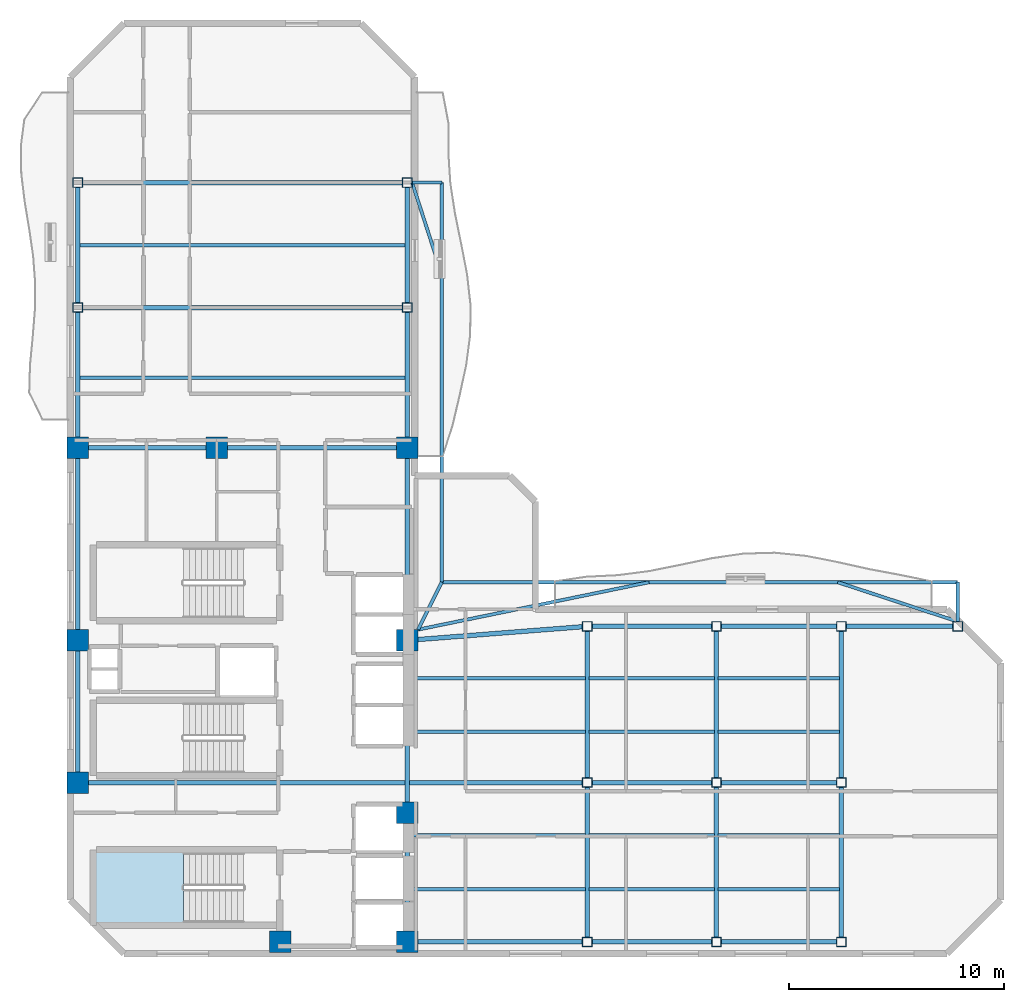
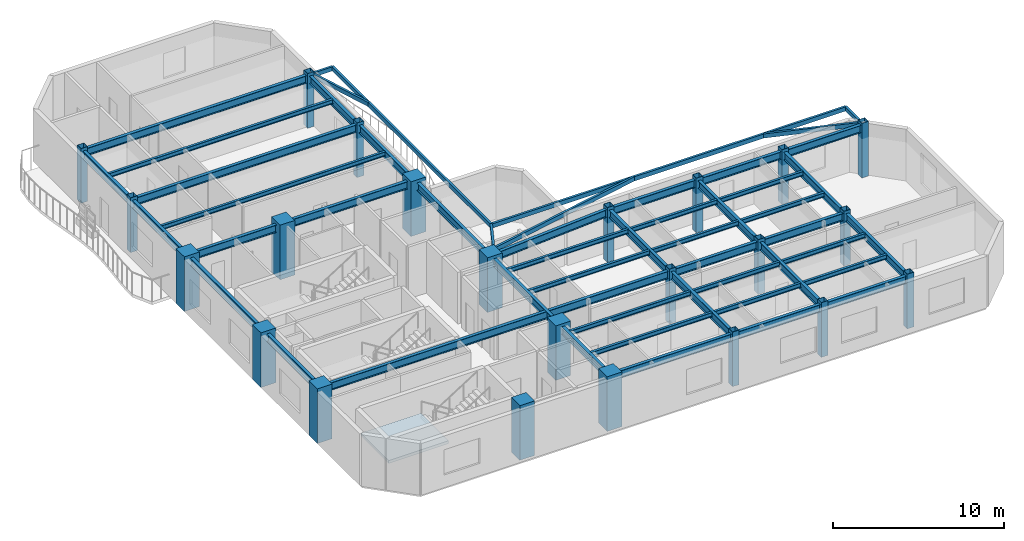
# One storey, part 1 of 9: 51 beams, 23 columns, 1 slab, 1 element without a shape of its own.
"""IFC4 building model written with IfcOpenShell, lengths in metres."""

from ifc_helpers import new_model, si_unit, direction, frame, origin, origin_2d, place, context, subcontext, project, spatial, polyline, rectangle, hollow_rectangle, i_section, outline, extrude, material, layer, layer_set, material_profile, profile_set, type_object, element, aggregate, save


model = new_model("IFC4")

# Units and contexts
model_context = context("Model", 3, precision=1e-05, world=origin(), true_north=direction((0.0, 1.0)))
body_context = subcontext(model_context, "Body", "Model", "MODEL_VIEW")
ifc_project = project(units=[si_unit("LENGTHUNIT", "METRE"), si_unit("AREAUNIT", "SQUARE_METRE"), si_unit("VOLUMEUNIT", "CUBIC_METRE"), si_unit("PLANEANGLEUNIT", "RADIAN"), si_unit("MASSUNIT", "GRAM", prefix="KILO")], contexts=[model_context])

# Site, building, storey
site_placement = place(None, origin())
site = spatial("IfcSite", under=ifc_project, at=site_placement, CompositionType="ELEMENT")
building_placement = place(site_placement, origin())
building = spatial("IfcBuilding", under=site, at=building_placement, Name="Mawjaban Terraces University", CompositionType="ELEMENT")
storey_placement = place(building_placement, frame((0.0, 0.0, 226.5)))
storey = spatial("IfcBuildingStorey", under=building, at=storey_placement, Name="L55", CompositionType="ELEMENT", Elevation=226.5)

# Columns
ifc_material_1 = material(Name="Concrete C60/75", Category="concrete")
ifc_material_profile_1 = material_profile(ifc_material_1, rectangle(XDim=1.0, YDim=1.0, at=origin_2d()), Name="RC1000X1000")
ifc_profile_set_1 = profile_set([ifc_material_profile_1], Name="Concrete C60/75")
column_type_1 = type_object("IfcColumnType", Name="Col_RC1000X1000", PredefinedType="COLUMN", material=ifc_profile_set_1)
for number, where, z_axis, x_axis, name in (
    (1, (31.75, 0.550048828125, 0.0), (0.0, 0.0, 1.0), (1.0, 0.0, 0.0), "L55 Column CC2"),
    (2, (37.64990234375, 0.550048828125, 0.0), (0.0, 0.0, 1.0), (1.0, 0.0, 0.0), "L55 Column CC3"),
    (3, (22.35009765625, 7.949951171875, 0.0), (0.0, 0.0, 1.0), (1.0, 0.0, 0.0), "L55 Column CC4"),
    (4, (37.64990234375, 6.550048828125, 0.0), (0.0, 0.0, 1.0), (1.0, 0.0, 0.0), "L55 Column CC5"),
    (5, (22.35009765625, 14.550048828125, 0.0), (0.0, 0.0, 1.0), (1.0, 0.0, 0.0), "L55 Column CC6"),
    (6, (37.64990234375, 14.550048828125, 0.0), (0.0, 0.0, 1.0), (1.0, 0.0, 0.0), "L55 Column CC7"),
    (7, (22.35009765625, 23.5, 0.0), (0.0, 0.0, 1.0), (1.0, 0.0, 0.0), "L55 Column CC8"),
    (8, (28.800048828125, 23.5, 0.0), (0.0, 0.0, 1.0), (1.0, 0.0, 0.0), "L55 Column CC9"),
    (9, (37.64990234375, 23.5, 0.0), (0.0, 0.0, 1.0), (1.0, 0.0, 0.0), "L55 Column CC10"),
):
    element("IfcColumn", number, at=place(storey_placement, frame(where, z_axis=z_axis, x_axis=x_axis)), inside=storey, type_object=column_type_1, Name=name, PredefinedType="COLUMN", context=body_context, shape_type="SweptSolid", body=[
        extrude(rectangle(XDim=1.0, YDim=1.0, at=origin_2d()), origin(), (0.0, 0.0, 1.0), 3.89990234375),
    ])
ifc_material_2 = material(Name="Steel EN 10210-1 S355J2H", Category="steel")
ifc_material_profile_2 = material_profile(ifc_material_2, hollow_rectangle(XDim=0.449951171875, YDim=0.449951171875, WallThickness=0.02001953125, at=origin_2d()), Name="SHS450X450X20")
ifc_profile_set_2 = profile_set([ifc_material_profile_2], Name="Steel EN 10210-1 S355J2H")
column_type_2 = type_object("IfcColumnType", Name="Col_SHS450X450X20", PredefinedType="COLUMN", material=ifc_profile_set_2)
for number, where, z_axis, x_axis, name in (
    (10, (46.0, 0.550048828125, 0.0), (0.0, 0.0, 1.0), (1.0, 0.0, 0.0), "L55 Column TE-460-005"),
    (11, (46.0, 7.949951171875, 0.0), (0.0, 0.0, 1.0), (1.0, 0.0, 0.0), "L55 Column TE-460-080"),
    (12, (46.0, 15.199951171875, 0.0), (0.0, 0.0, 1.0), (1.0, 0.0, 0.0), "L55 Column TE-460-152"),
    (13, (52.0, 0.550048828125, 0.0), (0.0, 0.0, 1.0), (1.0, 0.0, 0.0), "L55 Column TE-520-005"),
    (14, (52.0, 7.949951171875, 0.0), (0.0, 0.0, 1.0), (1.0, 0.0, 0.0), "L55 Column TE-520-080"),
    (15, (52.0, 15.199951171875, 0.0), (0.0, 0.0, 1.0), (1.0, 0.0, 0.0), "L55 Column TE-520-152"),
    (16, (57.800048828125, 0.550048828125, 0.0), (0.0, 0.0, 1.0), (1.0, 0.0, 0.0), "L55 Column TE-578-005"),
    (17, (57.800048828125, 7.949951171875, 0.0), (0.0, 0.0, 1.0), (1.0, 0.0, 0.0), "L55 Column TE-578-080"),
    (18, (57.800048828125, 15.199951171875, 0.0), (0.0, 0.0, 1.0), (1.0, 0.0, 0.0), "L55 Column TE-578-152"),
    (19, (63.199951171875, 15.199951171875, 0.0), (0.0, 0.0, 1.0), (1.0, 0.0, 0.0), "L55 Column TE-632-152"),
    (20, (22.35009765625, 30.0, 0.0), (0.0, 0.0, 1.0), (1.0, 0.0, 0.0), "L55 Column TN-223-300"),
    (21, (37.64990234375, 30.0, 0.0), (0.0, 0.0, 1.0), (1.0, 0.0, 0.0), "L55 Column TN-376-300"),
    (22, (22.35009765625, 35.800048828125, 0.0), (0.0, 0.0, 1.0), (1.0, 0.0, 0.0), "L55 Column TN-223-358"),
    (23, (37.64990234375, 35.800048828125, 0.0), (0.0, 0.0, 1.0), (1.0, 0.0, 0.0), "L55 Column TN-376-358"),
):
    element("IfcColumn", number, at=place(storey_placement, frame(where, z_axis=z_axis, x_axis=x_axis)), inside=storey, type_object=column_type_2, Name=name, PredefinedType="COLUMN", context=body_context, shape_type="SweptSolid", body=[
        extrude(hollow_rectangle(XDim=0.449951171875, YDim=0.449951171875, WallThickness=0.02001953125, at=origin_2d()), origin(), (0.0, 0.0, 1.0), 3.89990234375),
    ])

# Beams
ifc_material_profile_3 = material_profile(ifc_material_2, hollow_rectangle(XDim=0.14990234375, YDim=0.300048828125, WallThickness=0.012451171875, at=origin_2d()), Name="RHS300X150X12.5")
ifc_profile_set_3 = profile_set([ifc_material_profile_3], Name="Steel EN 10210-1 S355J2H")
beam_type_1 = type_object("IfcBeamType", Name="BalconyCantileverSpandrel_RHS", PredefinedType="SPANDREL", material=ifc_profile_set_3)
beam_1_placement = place(storey_placement, frame((38.14990234375, 15.050048828125, 3.5400390625), z_axis=(0.447253297971, 0.894407338663, 0.0), x_axis=(-0.894407338663, 0.447253297971, 0.0)))
element("IfcBeam", 24, at=beam_1_placement, inside=storey, type_object=beam_type_1, Name="L55 Corner Outrigger BAL-L56-N", PredefinedType="SPANDREL", context=body_context, shape_type="SweptSolid", body=[
    extrude(hollow_rectangle(XDim=0.14990234375, YDim=0.300048828125, WallThickness=0.012451171875, at=origin_2d()), origin(), (0.0, 0.0, 1.0), 2.459716796875),
])
beam_2_placement = place(storey_placement, frame((63.199951171875, 15.425048828125, 3.5400390625), z_axis=(0.0, 1.0, 0.0), x_axis=(-1.0, 0.0, 0.0)))
element("IfcBeam", 25, at=beam_2_placement, inside=storey, type_object=beam_type_1, Name="L55 Exterior Outrigger BAL-L56-N.2", PredefinedType="SPANDREL", context=body_context, shape_type="SweptSolid", body=[
    extrude(hollow_rectangle(XDim=0.14990234375, YDim=0.300048828125, WallThickness=0.012451171875, at=origin_2d()), origin(), (0.0, 0.0, 1.0), 1.824951171875),
])
beam_3_placement = place(storey_placement, frame((39.25, 17.25, 3.5400390625), z_axis=(1.0, 0.0, 0.0), x_axis=(0.0, 1.0, 0.0)))
element("IfcBeam", 26, at=beam_3_placement, inside=storey, type_object=beam_type_1, Name="L55 Exterior Edge Spandrel BAL-L56-N", PredefinedType="SPANDREL", context=body_context, shape_type="SweptSolid", body=[
    extrude(hollow_rectangle(XDim=0.14990234375, YDim=0.300048828125, WallThickness=0.012451171875, at=origin_2d()), origin(), (0.0, 0.0, 1.0), 23.949951171875),
])
beam_4_placement = place(storey_placement, frame((38.14990234375, 15.050048828125, 3.5400390625), z_axis=(0.979603938686, 0.200938108161, 0.0), x_axis=(-0.200938108161, 0.979603938686, 0.0)))
element("IfcBeam", 27, at=beam_4_placement, inside=storey, type_object=beam_type_1, Name="L55 Exterior Diagonal Strut BAL-L56-N.1", PredefinedType="SPANDREL", context=body_context, shape_type="SweptSolid", body=[
    extrude(hollow_rectangle(XDim=0.14990234375, YDim=0.300048828125, WallThickness=0.012451171875, at=origin_2d()), origin(), (0.0, 0.0, 1.0), 10.948486328125),
])
beam_5_placement = place(storey_placement, frame((63.199951171875, 15.425048828125, 3.5400390625), z_axis=(-0.950375876023, 0.311103992699, 0.0), x_axis=(-0.311103992699, -0.950375876023, 0.0)))
element("IfcBeam", 28, at=beam_5_placement, inside=storey, type_object=beam_type_1, Name="L55 Exterior Diagonal Strut BAL-L56-N.2", PredefinedType="SPANDREL", context=body_context, shape_type="SweptSolid", body=[
    extrude(hollow_rectangle(XDim=0.14990234375, YDim=0.300048828125, WallThickness=0.012451171875, at=origin_2d()), origin(), (0.0, 0.0, 1.0), 5.865966796875),
])
beam_6_placement = place(storey_placement, frame((37.875, 35.800048828125, 3.5400390625), z_axis=(1.0, 0.0, 0.0), x_axis=(0.0, 1.0, 0.0)))
element("IfcBeam", 29, at=beam_6_placement, inside=storey, type_object=beam_type_1, Name="L55 Exterior Outrigger BAL-L56-E.2", PredefinedType="SPANDREL", context=body_context, shape_type="SweptSolid", body=[
    extrude(hollow_rectangle(XDim=0.14990234375, YDim=0.300048828125, WallThickness=0.012451171875, at=origin_2d()), origin(), (0.0, 0.0, 1.0), 1.375),
])
beam_7_placement = place(storey_placement, frame((39.25, 17.25, 3.5400390625), z_axis=(0.0, 1.0, 0.0), x_axis=(-1.0, 0.0, 0.0)))
element("IfcBeam", 30, at=beam_7_placement, inside=storey, type_object=beam_type_1, Name="L55 Exterior Edge Spandrel BAL-L56-E", PredefinedType="SPANDREL", context=body_context, shape_type="SweptSolid", body=[
    extrude(hollow_rectangle(XDim=0.14990234375, YDim=0.300048828125, WallThickness=0.012451171875, at=origin_2d()), origin(), (0.0, 0.0, 1.0), 18.550048828125),
])
beam_8_placement = place(storey_placement, frame((37.875, 35.800048828125, 3.5400390625), z_axis=(0.307820285415, -0.951444518554, 0.0), x_axis=(0.951444518554, 0.307820285415, 0.0)))
element("IfcBeam", 31, at=beam_8_placement, inside=storey, type_object=beam_type_1, Name="L55 Exterior Diagonal Strut BAL-L56-E.1", PredefinedType="SPANDREL", context=body_context, shape_type="SweptSolid", body=[
    extrude(hollow_rectangle(XDim=0.14990234375, YDim=0.300048828125, WallThickness=0.012451171875, at=origin_2d()), origin(), (0.0, 0.0, 1.0), 4.466796875),
])
ifc_material_3 = material(Name="Steel ASTM A572 Grade 50", Category="steel")
ifc_material_profile_4 = material_profile(ifc_material_3, i_section(OverallWidth=0.2119140625, OverallDepth=0.5439453125, WebThickness=0.01318359375, FlangeThickness=0.021240234375, at=origin_2d()), Name="W530X123")
ifc_profile_set_4 = profile_set([ifc_material_profile_4], Name="Steel ASTM A572 Grade 50")
beam_type_2 = type_object("IfcBeamType", Name="Beam_B_W530X123", PredefinedType="BEAM", material=ifc_profile_set_4)
beam_9_placement = place(storey_placement, frame((38.14990234375, 0.550048828125, 3.41796875), z_axis=(1.0, 0.0, 0.0), x_axis=(0.0, 1.0, 0.0)))
element("IfcBeam", 32, at=beam_9_placement, inside=storey, type_object=beam_type_2, Name="L55 Beam BM-L55-EW-01", PredefinedType="BEAM", context=body_context, shape_type="SweptSolid", body=[
    extrude(i_section(OverallWidth=0.2119140625, OverallDepth=0.5439453125, WebThickness=0.01318359375, FlangeThickness=0.021240234375, at=origin_2d()), origin(), (0.0, 0.0, 1.0), 7.625),
])
beam_10_placement = place(storey_placement, frame((46.22509765625, 0.550048828125, 3.41796875), z_axis=(1.0, 0.0, 0.0), x_axis=(0.0, 1.0, 0.0)))
element("IfcBeam", 33, at=beam_10_placement, inside=storey, type_object=beam_type_2, Name="L55 Beam BM-L55-EW-02", PredefinedType="BEAM", context=body_context, shape_type="SweptSolid", body=[
    extrude(i_section(OverallWidth=0.2119140625, OverallDepth=0.5439453125, WebThickness=0.01318359375, FlangeThickness=0.021240234375, at=origin_2d()), origin(), (0.0, 0.0, 1.0), 5.5498046875),
])
beam_11_placement = place(storey_placement, frame((52.22509765625, 0.550048828125, 3.41796875), z_axis=(1.0, 0.0, 0.0), x_axis=(0.0, 1.0, 0.0)))
element("IfcBeam", 34, at=beam_11_placement, inside=storey, type_object=beam_type_2, Name="L55 Beam BM-L55-EW-03", PredefinedType="BEAM", context=body_context, shape_type="SweptSolid", body=[
    extrude(i_section(OverallWidth=0.2119140625, OverallDepth=0.5439453125, WebThickness=0.01318359375, FlangeThickness=0.021240234375, at=origin_2d()), origin(), (0.0, 0.0, 1.0), 5.349853515625),
])
beam_12_placement = place(storey_placement, frame((22.85009765625, 7.949951171875, 3.41796875), z_axis=(1.0, 0.0, 0.0), x_axis=(0.0, 1.0, 0.0)))
element("IfcBeam", 35, at=beam_12_placement, inside=storey, type_object=beam_type_2, Name="L55 Beam BM-L55-EW-04", PredefinedType="BEAM", context=body_context, shape_type="SweptSolid", body=[
    extrude(i_section(OverallWidth=0.2119140625, OverallDepth=0.5439453125, WebThickness=0.01318359375, FlangeThickness=0.021240234375, at=origin_2d()), origin(), (0.0, 0.0, 1.0), 22.9248046875),
])
beam_13_placement = place(storey_placement, frame((46.22509765625, 7.949951171875, 3.41796875), z_axis=(1.0, 0.0, 0.0), x_axis=(0.0, 1.0, 0.0)))
element("IfcBeam", 36, at=beam_13_placement, inside=storey, type_object=beam_type_2, Name="L55 Beam BM-L55-EW-05", PredefinedType="BEAM", context=body_context, shape_type="SweptSolid", body=[
    extrude(i_section(OverallWidth=0.2119140625, OverallDepth=0.5439453125, WebThickness=0.01318359375, FlangeThickness=0.021240234375, at=origin_2d()), origin(), (0.0, 0.0, 1.0), 5.5498046875),
])
beam_14_placement = place(storey_placement, frame((52.22509765625, 7.949951171875, 3.41796875), z_axis=(1.0, 0.0, 0.0), x_axis=(0.0, 1.0, 0.0)))
element("IfcBeam", 37, at=beam_14_placement, inside=storey, type_object=beam_type_2, Name="L55 Beam BM-L55-EW-06", PredefinedType="BEAM", context=body_context, shape_type="SweptSolid", body=[
    extrude(i_section(OverallWidth=0.2119140625, OverallDepth=0.5439453125, WebThickness=0.01318359375, FlangeThickness=0.021240234375, at=origin_2d()), origin(), (0.0, 0.0, 1.0), 5.349853515625),
])
beam_15_placement = place(storey_placement, frame((46.22509765625, 15.199951171875, 3.41796875), z_axis=(1.0, 0.0, 0.0), x_axis=(0.0, 1.0, 0.0)))
element("IfcBeam", 38, at=beam_15_placement, inside=storey, type_object=beam_type_2, Name="L55 Beam BM-L55-EW-07", PredefinedType="BEAM", context=body_context, shape_type="SweptSolid", body=[
    extrude(i_section(OverallWidth=0.2119140625, OverallDepth=0.5439453125, WebThickness=0.01318359375, FlangeThickness=0.021240234375, at=origin_2d()), origin(), (0.0, 0.0, 1.0), 5.5498046875),
])
beam_16_placement = place(storey_placement, frame((52.22509765625, 15.199951171875, 3.41796875), z_axis=(1.0, 0.0, 0.0), x_axis=(0.0, 1.0, 0.0)))
element("IfcBeam", 39, at=beam_16_placement, inside=storey, type_object=beam_type_2, Name="L55 Beam BM-L55-EW-08", PredefinedType="BEAM", context=body_context, shape_type="SweptSolid", body=[
    extrude(i_section(OverallWidth=0.2119140625, OverallDepth=0.5439453125, WebThickness=0.01318359375, FlangeThickness=0.021240234375, at=origin_2d()), origin(), (0.0, 0.0, 1.0), 5.349853515625),
])
beam_17_placement = place(storey_placement, frame((58.02490234375, 15.199951171875, 3.41796875), z_axis=(1.0, 0.0, 0.0), x_axis=(0.0, 1.0, 0.0)))
element("IfcBeam", 40, at=beam_17_placement, inside=storey, type_object=beam_type_2, Name="L55 Beam BM-L55-EW-09", PredefinedType="BEAM", context=body_context, shape_type="SweptSolid", body=[
    extrude(i_section(OverallWidth=0.2119140625, OverallDepth=0.5439453125, WebThickness=0.01318359375, FlangeThickness=0.021240234375, at=origin_2d()), origin(), (0.0, 0.0, 1.0), 4.9501953125),
])
beam_18_placement = place(storey_placement, frame((22.85009765625, 23.5, 3.41796875), z_axis=(1.0, 0.0, 0.0), x_axis=(0.0, 1.0, 0.0)))
element("IfcBeam", 41, at=beam_18_placement, inside=storey, type_object=beam_type_2, Name="L55 Beam BM-L55-EW-10", PredefinedType="BEAM", context=body_context, shape_type="SweptSolid", body=[
    extrude(i_section(OverallWidth=0.2119140625, OverallDepth=0.5439453125, WebThickness=0.01318359375, FlangeThickness=0.021240234375, at=origin_2d()), origin(), (0.0, 0.0, 1.0), 5.449951171875),
])
beam_19_placement = place(storey_placement, frame((29.300048828125, 23.5, 3.41796875), z_axis=(1.0, 0.0, 0.0), x_axis=(0.0, 1.0, 0.0)))
element("IfcBeam", 42, at=beam_19_placement, inside=storey, type_object=beam_type_2, Name="L55 Beam BM-L55-EW-11", PredefinedType="BEAM", context=body_context, shape_type="SweptSolid", body=[
    extrude(i_section(OverallWidth=0.2119140625, OverallDepth=0.5439453125, WebThickness=0.01318359375, FlangeThickness=0.021240234375, at=origin_2d()), origin(), (0.0, 0.0, 1.0), 7.849853515625),
])
for number, where, z_axis, x_axis, name in (
    (43, (22.574951171875, 30.0, 3.41796875), (1.0, 0.0, 0.0), (0.0, 1.0, 0.0), "L55 Beam BM-L55-EW-12"),
    (44, (22.574951171875, 35.800048828125, 3.41796875), (1.0, 0.0, 0.0), (0.0, 1.0, 0.0), "L55 Beam BM-L55-EW-13"),
):
    element("IfcBeam", number, at=place(storey_placement, frame(where, z_axis=z_axis, x_axis=x_axis)), inside=storey, type_object=beam_type_2, Name=name, PredefinedType="BEAM", context=body_context, shape_type="SweptSolid", body=[
        extrude(i_section(OverallWidth=0.2119140625, OverallDepth=0.5439453125, WebThickness=0.01318359375, FlangeThickness=0.021240234375, at=origin_2d()), origin(), (0.0, 0.0, 1.0), 14.85009765625),
    ])
beam_20_placement = place(storey_placement, frame((22.35009765625, 8.449951171875, 3.41796875), z_axis=(0.0, 1.0, 0.0), x_axis=(-1.0, 0.0, 0.0)))
element("IfcBeam", 45, at=beam_20_placement, inside=storey, type_object=beam_type_2, Name="L55 Beam BM-L55-NS-01", PredefinedType="BEAM", context=body_context, shape_type="SweptSolid", body=[
    extrude(i_section(OverallWidth=0.2119140625, OverallDepth=0.5439453125, WebThickness=0.01318359375, FlangeThickness=0.021240234375, at=origin_2d()), origin(), (0.0, 0.0, 1.0), 5.60009765625),
])
beam_21_placement = place(storey_placement, frame((22.35009765625, 15.050048828125, 3.41796875), z_axis=(0.0, 1.0, 0.0), x_axis=(-1.0, 0.0, 0.0)))
element("IfcBeam", 46, at=beam_21_placement, inside=storey, type_object=beam_type_2, Name="L55 Beam BM-L55-NS-02", PredefinedType="BEAM", context=body_context, shape_type="SweptSolid", body=[
    extrude(i_section(OverallWidth=0.2119140625, OverallDepth=0.5439453125, WebThickness=0.01318359375, FlangeThickness=0.021240234375, at=origin_2d()), origin(), (0.0, 0.0, 1.0), 7.949951171875),
])
beam_22_placement = place(storey_placement, frame((22.35009765625, 24.0, 3.41796875), z_axis=(0.0, 1.0, 0.0), x_axis=(-1.0, 0.0, 0.0)))
element("IfcBeam", 47, at=beam_22_placement, inside=storey, type_object=beam_type_2, Name="L55 Beam BM-L55-NS-03", PredefinedType="BEAM", context=body_context, shape_type="SweptSolid", body=[
    extrude(i_section(OverallWidth=0.2119140625, OverallDepth=0.5439453125, WebThickness=0.01318359375, FlangeThickness=0.021240234375, at=origin_2d()), origin(), (0.0, 0.0, 1.0), 5.77490234375),
])
beam_23_placement = place(storey_placement, frame((22.35009765625, 30.22509765625, 3.41796875), z_axis=(0.0, 1.0, 0.0), x_axis=(-1.0, 0.0, 0.0)))
element("IfcBeam", 48, at=beam_23_placement, inside=storey, type_object=beam_type_2, Name="L55 Beam BM-L55-NS-04", PredefinedType="BEAM", context=body_context, shape_type="SweptSolid", body=[
    extrude(i_section(OverallWidth=0.2119140625, OverallDepth=0.5439453125, WebThickness=0.01318359375, FlangeThickness=0.021240234375, at=origin_2d()), origin(), (0.0, 0.0, 1.0), 5.349853515625),
])
beam_24_placement = place(storey_placement, frame((37.64990234375, 1.050048828125, 3.41796875), z_axis=(0.0, 1.0, 0.0), x_axis=(-1.0, 0.0, 0.0)))
element("IfcBeam", 49, at=beam_24_placement, inside=storey, type_object=beam_type_2, Name="L55 Beam BM-L55-NS-05", PredefinedType="BEAM", context=body_context, shape_type="SweptSolid", body=[
    extrude(i_section(OverallWidth=0.2119140625, OverallDepth=0.5439453125, WebThickness=0.01318359375, FlangeThickness=0.021240234375, at=origin_2d()), origin(), (0.0, 0.0, 1.0), 5.0),
])
beam_25_placement = place(storey_placement, frame((37.64990234375, 7.050048828125, 3.41796875), z_axis=(0.0, 1.0, 0.0), x_axis=(-1.0, 0.0, 0.0)))
element("IfcBeam", 50, at=beam_25_placement, inside=storey, type_object=beam_type_2, Name="L55 Beam BM-L55-NS-06", PredefinedType="BEAM", context=body_context, shape_type="SweptSolid", body=[
    extrude(i_section(OverallWidth=0.2119140625, OverallDepth=0.5439453125, WebThickness=0.01318359375, FlangeThickness=0.021240234375, at=origin_2d()), origin(), (0.0, 0.0, 1.0), 7.0),
])
beam_26_placement = place(storey_placement, frame((37.64990234375, 15.050048828125, 3.41796875), z_axis=(0.0, 1.0, 0.0), x_axis=(-1.0, 0.0, 0.0)))
element("IfcBeam", 51, at=beam_26_placement, inside=storey, type_object=beam_type_2, Name="L55 Beam BM-L55-NS-07", PredefinedType="BEAM", context=body_context, shape_type="SweptSolid", body=[
    extrude(i_section(OverallWidth=0.2119140625, OverallDepth=0.5439453125, WebThickness=0.01318359375, FlangeThickness=0.021240234375, at=origin_2d()), origin(), (0.0, 0.0, 1.0), 7.949951171875),
])
beam_27_placement = place(storey_placement, frame((37.64990234375, 24.0, 3.41796875), z_axis=(0.0, 1.0, 0.0), x_axis=(-1.0, 0.0, 0.0)))
element("IfcBeam", 52, at=beam_27_placement, inside=storey, type_object=beam_type_2, Name="L55 Beam BM-L55-NS-08", PredefinedType="BEAM", context=body_context, shape_type="SweptSolid", body=[
    extrude(i_section(OverallWidth=0.2119140625, OverallDepth=0.5439453125, WebThickness=0.01318359375, FlangeThickness=0.021240234375, at=origin_2d()), origin(), (0.0, 0.0, 1.0), 5.77490234375),
])
beam_28_placement = place(storey_placement, frame((37.64990234375, 30.22509765625, 3.41796875), z_axis=(0.0, 1.0, 0.0), x_axis=(-1.0, 0.0, 0.0)))
element("IfcBeam", 53, at=beam_28_placement, inside=storey, type_object=beam_type_2, Name="L55 Beam BM-L55-NS-09", PredefinedType="BEAM", context=body_context, shape_type="SweptSolid", body=[
    extrude(i_section(OverallWidth=0.2119140625, OverallDepth=0.5439453125, WebThickness=0.01318359375, FlangeThickness=0.021240234375, at=origin_2d()), origin(), (0.0, 0.0, 1.0), 5.349853515625),
])
beam_29_placement = place(storey_placement, frame((46.0, 0.77490234375, 3.41796875), z_axis=(0.0, 1.0, 0.0), x_axis=(-1.0, 0.0, 0.0)))
element("IfcBeam", 54, at=beam_29_placement, inside=storey, type_object=beam_type_2, Name="L55 Beam BM-L55-NS-10", PredefinedType="BEAM", context=body_context, shape_type="SweptSolid", body=[
    extrude(i_section(OverallWidth=0.2119140625, OverallDepth=0.5439453125, WebThickness=0.01318359375, FlangeThickness=0.021240234375, at=origin_2d()), origin(), (0.0, 0.0, 1.0), 6.9501953125),
])
beam_30_placement = place(storey_placement, frame((46.0, 8.175048828125, 3.41796875), z_axis=(0.0, 1.0, 0.0), x_axis=(-1.0, 0.0, 0.0)))
element("IfcBeam", 55, at=beam_30_placement, inside=storey, type_object=beam_type_2, Name="L55 Beam BM-L55-NS-11", PredefinedType="BEAM", context=body_context, shape_type="SweptSolid", body=[
    extrude(i_section(OverallWidth=0.2119140625, OverallDepth=0.5439453125, WebThickness=0.01318359375, FlangeThickness=0.021240234375, at=origin_2d()), origin(), (0.0, 0.0, 1.0), 6.800048828125),
])
beam_31_placement = place(storey_placement, frame((52.0, 0.77490234375, 3.41796875), z_axis=(0.0, 1.0, 0.0), x_axis=(-1.0, 0.0, 0.0)))
element("IfcBeam", 56, at=beam_31_placement, inside=storey, type_object=beam_type_2, Name="L55 Beam BM-L55-NS-12", PredefinedType="BEAM", context=body_context, shape_type="SweptSolid", body=[
    extrude(i_section(OverallWidth=0.2119140625, OverallDepth=0.5439453125, WebThickness=0.01318359375, FlangeThickness=0.021240234375, at=origin_2d()), origin(), (0.0, 0.0, 1.0), 6.9501953125),
])
beam_32_placement = place(storey_placement, frame((52.0, 8.175048828125, 3.41796875), z_axis=(0.0, 1.0, 0.0), x_axis=(-1.0, 0.0, 0.0)))
element("IfcBeam", 57, at=beam_32_placement, inside=storey, type_object=beam_type_2, Name="L55 Beam BM-L55-NS-13", PredefinedType="BEAM", context=body_context, shape_type="SweptSolid", body=[
    extrude(i_section(OverallWidth=0.2119140625, OverallDepth=0.5439453125, WebThickness=0.01318359375, FlangeThickness=0.021240234375, at=origin_2d()), origin(), (0.0, 0.0, 1.0), 6.800048828125),
])
beam_33_placement = place(storey_placement, frame((57.800048828125, 0.77490234375, 3.41796875), z_axis=(0.0, 1.0, 0.0), x_axis=(-1.0, 0.0, 0.0)))
element("IfcBeam", 58, at=beam_33_placement, inside=storey, type_object=beam_type_2, Name="L55 Beam BM-L55-NS-14", PredefinedType="BEAM", context=body_context, shape_type="SweptSolid", body=[
    extrude(i_section(OverallWidth=0.2119140625, OverallDepth=0.5439453125, WebThickness=0.01318359375, FlangeThickness=0.021240234375, at=origin_2d()), origin(), (0.0, 0.0, 1.0), 6.9501953125),
])
beam_34_placement = place(storey_placement, frame((57.800048828125, 8.175048828125, 3.41796875), z_axis=(0.0, 1.0, 0.0), x_axis=(-1.0, 0.0, 0.0)))
element("IfcBeam", 59, at=beam_34_placement, inside=storey, type_object=beam_type_2, Name="L55 Beam BM-L55-NS-15", PredefinedType="BEAM", context=body_context, shape_type="SweptSolid", body=[
    extrude(i_section(OverallWidth=0.2119140625, OverallDepth=0.5439453125, WebThickness=0.01318359375, FlangeThickness=0.021240234375, at=origin_2d()), origin(), (0.0, 0.0, 1.0), 6.800048828125),
])
beam_35_placement = place(storey_placement, frame((38.14794921875, 14.589111328125, 3.41796875), z_axis=(0.99698177718, 0.077635919341, 0.0), x_axis=(-0.077635919341, 0.99698177718, 0.0)))
element("IfcBeam", 60, at=beam_35_placement, inside=storey, type_object=beam_type_2, Name="L55 Beam BM-L55-CTIE", PredefinedType="BEAM", context=body_context, shape_type="SweptSolid", body=[
    extrude(i_section(OverallWidth=0.2119140625, OverallDepth=0.5439453125, WebThickness=0.01318359375, FlangeThickness=0.021240234375, at=origin_2d()), origin(), (0.0, 0.0, 1.0), 7.651123046875),
])
ifc_material_profile_5 = material_profile(ifc_material_3, i_section(OverallWidth=0.1669921875, OverallDepth=0.318115234375, WebThickness=0.007568359375, FlangeThickness=0.01318359375, at=origin_2d()), Name="W310X52")
ifc_profile_set_5 = profile_set([ifc_material_profile_5], Name="Steel ASTM A572 Grade 50")
beam_type_3 = type_object("IfcBeamType", Name="Beam_J_W310X52", PredefinedType="JOIST", material=ifc_profile_set_5)
beam_36_placement = place(storey_placement, frame((37.72998046875, 3.0, 3.531005859375), z_axis=(1.0, 0.0, 0.0), x_axis=(0.0, 1.0, 0.0)))
element("IfcBeam", 61, at=beam_36_placement, inside=storey, type_object=beam_type_3, Name="L55 Composite Joist JST-L55-01", PredefinedType="JOIST", context=body_context, shape_type="SweptSolid", body=[
    extrude(i_section(OverallWidth=0.1669921875, OverallDepth=0.318115234375, WebThickness=0.007568359375, FlangeThickness=0.01318359375, at=origin_2d()), origin(), (0.0, 0.0, 1.0), 8.18994140625),
])
beam_37_placement = place(storey_placement, frame((46.080078125, 3.0, 3.531005859375), z_axis=(1.0, 0.0, 0.0), x_axis=(0.0, 1.0, 0.0)))
element("IfcBeam", 62, at=beam_37_placement, inside=storey, type_object=beam_type_3, Name="L55 Composite Joist JST-L55-02", PredefinedType="JOIST", context=body_context, shape_type="SweptSolid", body=[
    extrude(i_section(OverallWidth=0.1669921875, OverallDepth=0.318115234375, WebThickness=0.007568359375, FlangeThickness=0.01318359375, at=origin_2d()), origin(), (0.0, 0.0, 1.0), 5.83984375),
])
beam_38_placement = place(storey_placement, frame((52.080078125, 3.0, 3.531005859375), z_axis=(1.0, 0.0, 0.0), x_axis=(0.0, 1.0, 0.0)))
element("IfcBeam", 63, at=beam_38_placement, inside=storey, type_object=beam_type_3, Name="L55 Composite Joist JST-L55-03", PredefinedType="JOIST", context=body_context, shape_type="SweptSolid", body=[
    extrude(i_section(OverallWidth=0.1669921875, OverallDepth=0.318115234375, WebThickness=0.007568359375, FlangeThickness=0.01318359375, at=origin_2d()), origin(), (0.0, 0.0, 1.0), 5.639892578125),
])
beam_39_placement = place(storey_placement, frame((37.72998046875, 5.5, 3.531005859375), z_axis=(1.0, 0.0, 0.0), x_axis=(0.0, 1.0, 0.0)))
element("IfcBeam", 64, at=beam_39_placement, inside=storey, type_object=beam_type_3, Name="L55 Composite Joist JST-L55-04", PredefinedType="JOIST", context=body_context, shape_type="SweptSolid", body=[
    extrude(i_section(OverallWidth=0.1669921875, OverallDepth=0.318115234375, WebThickness=0.007568359375, FlangeThickness=0.01318359375, at=origin_2d()), origin(), (0.0, 0.0, 1.0), 8.18994140625),
])
beam_40_placement = place(storey_placement, frame((46.080078125, 5.5, 3.531005859375), z_axis=(1.0, 0.0, 0.0), x_axis=(0.0, 1.0, 0.0)))
element("IfcBeam", 65, at=beam_40_placement, inside=storey, type_object=beam_type_3, Name="L55 Composite Joist JST-L55-05", PredefinedType="JOIST", context=body_context, shape_type="SweptSolid", body=[
    extrude(i_section(OverallWidth=0.1669921875, OverallDepth=0.318115234375, WebThickness=0.007568359375, FlangeThickness=0.01318359375, at=origin_2d()), origin(), (0.0, 0.0, 1.0), 5.83984375),
])
beam_41_placement = place(storey_placement, frame((52.080078125, 5.5, 3.531005859375), z_axis=(1.0, 0.0, 0.0), x_axis=(0.0, 1.0, 0.0)))
element("IfcBeam", 66, at=beam_41_placement, inside=storey, type_object=beam_type_3, Name="L55 Composite Joist JST-L55-06", PredefinedType="JOIST", context=body_context, shape_type="SweptSolid", body=[
    extrude(i_section(OverallWidth=0.1669921875, OverallDepth=0.318115234375, WebThickness=0.007568359375, FlangeThickness=0.01318359375, at=origin_2d()), origin(), (0.0, 0.0, 1.0), 5.639892578125),
])
beam_42_placement = place(storey_placement, frame((37.72998046875, 10.300048828125, 3.531005859375), z_axis=(1.0, 0.0, 0.0), x_axis=(0.0, 1.0, 0.0)))
element("IfcBeam", 67, at=beam_42_placement, inside=storey, type_object=beam_type_3, Name="L55 Composite Joist JST-L55-07", PredefinedType="JOIST", context=body_context, shape_type="SweptSolid", body=[
    extrude(i_section(OverallWidth=0.1669921875, OverallDepth=0.318115234375, WebThickness=0.007568359375, FlangeThickness=0.01318359375, at=origin_2d()), origin(), (0.0, 0.0, 1.0), 8.18994140625),
])
beam_43_placement = place(storey_placement, frame((46.080078125, 10.300048828125, 3.531005859375), z_axis=(1.0, 0.0, 0.0), x_axis=(0.0, 1.0, 0.0)))
element("IfcBeam", 68, at=beam_43_placement, inside=storey, type_object=beam_type_3, Name="L55 Composite Joist JST-L55-08", PredefinedType="JOIST", context=body_context, shape_type="SweptSolid", body=[
    extrude(i_section(OverallWidth=0.1669921875, OverallDepth=0.318115234375, WebThickness=0.007568359375, FlangeThickness=0.01318359375, at=origin_2d()), origin(), (0.0, 0.0, 1.0), 5.83984375),
])
beam_44_placement = place(storey_placement, frame((52.080078125, 10.300048828125, 3.531005859375), z_axis=(1.0, 0.0, 0.0), x_axis=(0.0, 1.0, 0.0)))
element("IfcBeam", 69, at=beam_44_placement, inside=storey, type_object=beam_type_3, Name="L55 Composite Joist JST-L55-09", PredefinedType="JOIST", context=body_context, shape_type="SweptSolid", body=[
    extrude(i_section(OverallWidth=0.1669921875, OverallDepth=0.318115234375, WebThickness=0.007568359375, FlangeThickness=0.01318359375, at=origin_2d()), origin(), (0.0, 0.0, 1.0), 5.639892578125),
])
beam_45_placement = place(storey_placement, frame((37.72998046875, 12.800048828125, 3.531005859375), z_axis=(1.0, 0.0, 0.0), x_axis=(0.0, 1.0, 0.0)))
element("IfcBeam", 70, at=beam_45_placement, inside=storey, type_object=beam_type_3, Name="L55 Composite Joist JST-L55-10", PredefinedType="JOIST", context=body_context, shape_type="SweptSolid", body=[
    extrude(i_section(OverallWidth=0.1669921875, OverallDepth=0.318115234375, WebThickness=0.007568359375, FlangeThickness=0.01318359375, at=origin_2d()), origin(), (0.0, 0.0, 1.0), 8.18994140625),
])
beam_46_placement = place(storey_placement, frame((46.080078125, 12.800048828125, 3.531005859375), z_axis=(1.0, 0.0, 0.0), x_axis=(0.0, 1.0, 0.0)))
element("IfcBeam", 71, at=beam_46_placement, inside=storey, type_object=beam_type_3, Name="L55 Composite Joist JST-L55-11", PredefinedType="JOIST", context=body_context, shape_type="SweptSolid", body=[
    extrude(i_section(OverallWidth=0.1669921875, OverallDepth=0.318115234375, WebThickness=0.007568359375, FlangeThickness=0.01318359375, at=origin_2d()), origin(), (0.0, 0.0, 1.0), 5.83984375),
])
beam_47_placement = place(storey_placement, frame((52.080078125, 12.800048828125, 3.531005859375), z_axis=(1.0, 0.0, 0.0), x_axis=(0.0, 1.0, 0.0)))
element("IfcBeam", 72, at=beam_47_placement, inside=storey, type_object=beam_type_3, Name="L55 Composite Joist JST-L55-12", PredefinedType="JOIST", context=body_context, shape_type="SweptSolid", body=[
    extrude(i_section(OverallWidth=0.1669921875, OverallDepth=0.318115234375, WebThickness=0.007568359375, FlangeThickness=0.01318359375, at=origin_2d()), origin(), (0.0, 0.0, 1.0), 5.639892578125),
])
for number, where, z_axis, x_axis, name in (
    (73, (22.429931640625, 26.75, 3.531005859375), (1.0, 0.0, 0.0), (0.0, 1.0, 0.0), "L55 Composite Joist JST-L55-13"),
    (74, (22.429931640625, 32.89990234375, 3.531005859375), (1.0, 0.0, 0.0), (0.0, 1.0, 0.0), "L55 Composite Joist JST-L55-14"),
):
    element("IfcBeam", number, at=place(storey_placement, frame(where, z_axis=z_axis, x_axis=x_axis)), inside=storey, type_object=beam_type_3, Name=name, PredefinedType="JOIST", context=body_context, shape_type="SweptSolid", body=[
        extrude(i_section(OverallWidth=0.1669921875, OverallDepth=0.318115234375, WebThickness=0.007568359375, FlangeThickness=0.01318359375, at=origin_2d()), origin(), (0.0, 0.0, 1.0), 15.14013671875),
    ])

# Stair, slab
ifc_material_4 = material(Name="Concrete C40/50", Category="concrete")
stair_type = type_object("IfcStairType", Name="Stair_Core1550_H39", PredefinedType="HALF_TURN_STAIR", material=ifc_material_4)
stair_placement = place(storey_placement, origin())
stair = element("IfcStair", 75, at=stair_placement, inside=storey, type_object=stair_type, Name="L55 Core Exit Stair 1", PredefinedType="HALF_TURN_STAIR")
ifc_layer = layer(ifc_material_4, 0.199951171875)
ifc_layer_set = layer_set([ifc_layer], Name="Concrete C40/50")
slab_type = type_object("IfcSlabType", Name="StairLandingSlab_200", PredefinedType="LANDING", material=ifc_layer_set)
slab_placement = place(storey_placement, frame((0.0, 0.0, 1.75)))
slab = element("IfcSlab", 76, at=slab_placement, type_object=slab_type, Name="ST-1 landing 1", PredefinedType="LANDING", context=body_context, shape_type="SweptSolid", body=[
    extrude(outline(polyline([(27.25, 4.699951171875), (23.199951171875, 4.699951171875), (23.199951171875, 1.449951171875), (27.25, 1.449951171875), (27.25, 4.699951171875)])), origin(), (0.0, 0.0, 1.0), 0.199951171875),
])
aggregate(stair, [slab])

save(model, "model.ifc")
